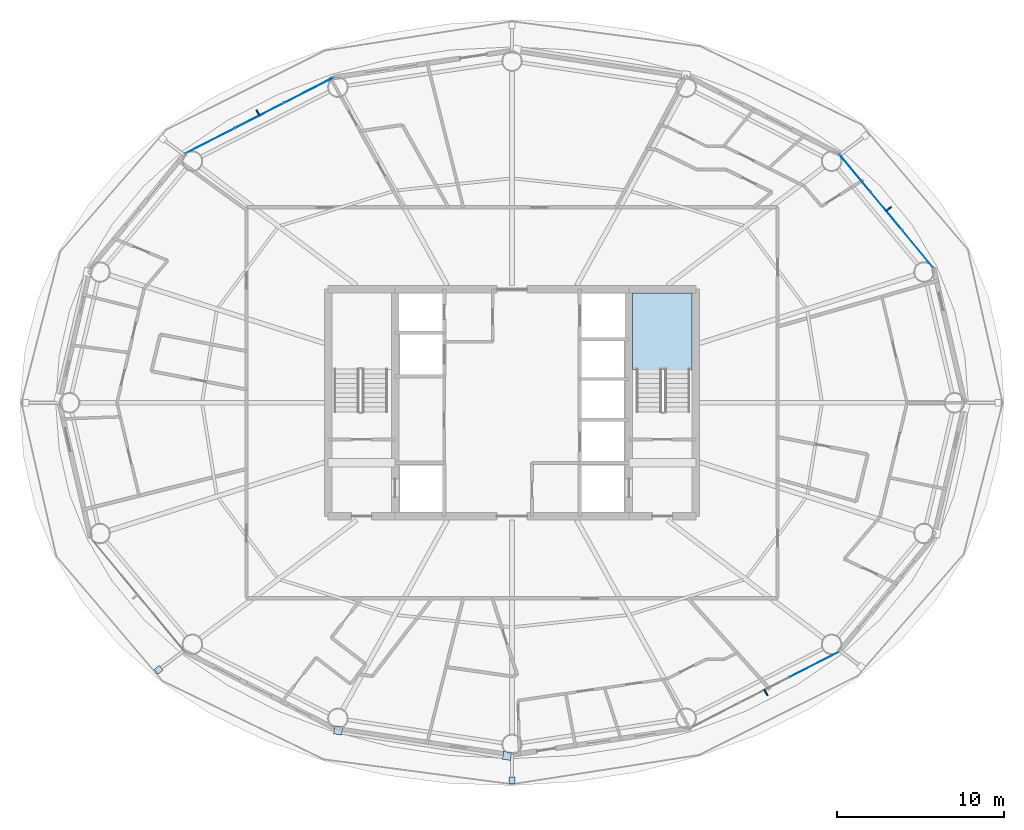
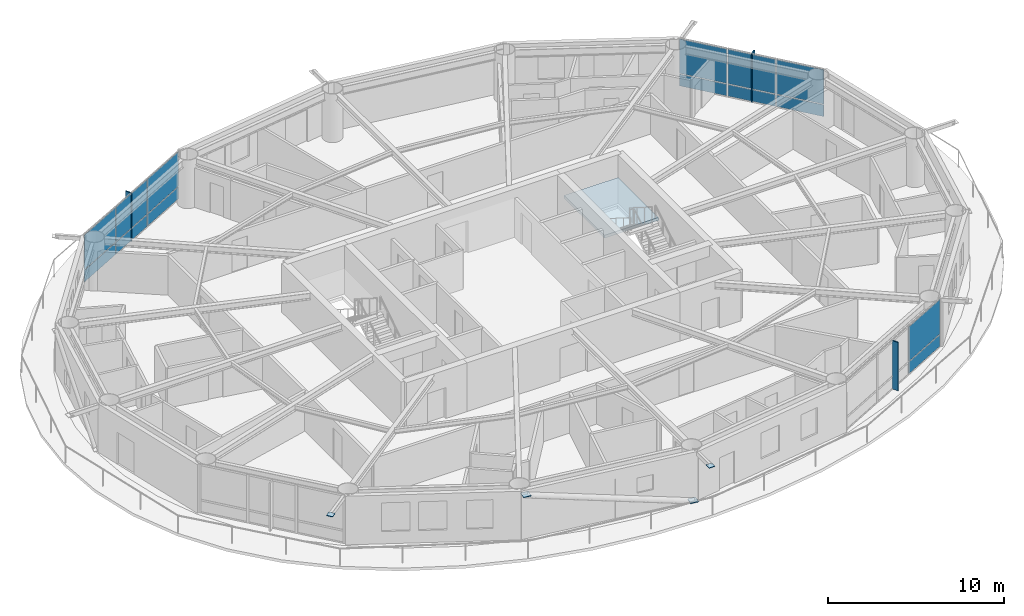
# One storey, part 18 of 27: 21 plates, 1 slab, 4 elements without a shape of their own.
"""IFC4 building model written with IfcOpenShell, lengths in metres."""

from ifc_helpers import new_model, si_unit, direction, frame, origin, origin_2d, place, context, subcontext, project, spatial, polyline, rectangle, outline, extrude, material, layer, layer_set, type_object, element, aggregate, save


model = new_model("IFC4")

# Units and contexts
model_context = context("Model", 3, precision=1e-05, world=origin(), true_north=direction((0.0, 1.0)))
body_context = subcontext(model_context, "Body", "Model", "MODEL_VIEW")
ifc_project = project(units=[si_unit("LENGTHUNIT", "METRE"), si_unit("AREAUNIT", "SQUARE_METRE"), si_unit("VOLUMEUNIT", "CUBIC_METRE"), si_unit("PLANEANGLEUNIT", "RADIAN"), si_unit("MASSUNIT", "GRAM", prefix="KILO")], contexts=[model_context])

# Site, building, storey
site_placement = place(None, origin())
site = spatial("IfcSite", under=ifc_project, at=site_placement, CompositionType="ELEMENT")
building_placement = place(site_placement, origin())
building = spatial("IfcBuilding", under=site, at=building_placement, Name="Sarneth Arch Tower", CompositionType="ELEMENT")
storey_placement = place(building_placement, frame((0.0, 0.0, 186.60009765625)))
storey = spatial("IfcBuildingStorey", under=building, at=storey_placement, Name="L47", CompositionType="ELEMENT", Elevation=186.60009765625)

# Curtain wall, plates
ifc_material_1 = material(Name="Anodised aluminium Type AA25 and solar-control low-e laminated IGU", Category="aluminium")
ifc_layer_1 = layer(ifc_material_1, 0.169921875)
ifc_layer_set_1 = layer_set([ifc_layer_1], Name="Anodised aluminium Type AA25 and solar-control low-e laminated IGU")
curtain_wall_type = type_object("IfcCurtainWallType", Name="CW-RES-MID", PredefinedType="NOTDEFINED", material=ifc_layer_set_1)
curtain_wall_1_placement = place(storey_placement, origin())
curtain_wall_1 = element("IfcCurtainWall", 1, at=curtain_wall_1_placement, inside=storey, type_object=curtain_wall_type, Name="L47 Unitised curtain wall facet 02", PredefinedType="NOTDEFINED")
ifc_material_2 = material(Name="Solar-control low-e laminated IGU", Category="glass")
ifc_layer_2 = layer(ifc_material_2, 0.028076171875)
ifc_layer_set_2 = layer_set([ifc_layer_2], Name="Solar-control low-e laminated IGU")
plate_type_1 = type_object("IfcPlateType", Name="CW-PANEL", PredefinedType="CURTAIN_PANEL", material=ifc_layer_set_2)
plate_1_placement = place(storey_placement, frame((72.280029296875, 51.21826171875, 0.059814453125), z_axis=(0.0, 0.0, 1.0), x_axis=(-0.637330298558, 0.770590741276, 0.0)))
plate_1 = element("IfcPlate", 2, at=plate_1_placement, type_object=plate_type_1, Name="Curtain wall glazed vision pane CW-L47-F02/P00-00", PredefinedType="CURTAIN_PANEL", context=body_context, shape_type="SweptSolid", body=[
    extrude(rectangle(XDim=2.8681640625, YDim=0.028076171875, at=origin_2d()), origin(), (0.0, 0.0, 1.0), 0.81005859375),
])
plate_2_placement = place(storey_placement, frame((72.280029296875, 51.21826171875, 0.93017578125), z_axis=(0.0, 0.0, 1.0), x_axis=(-0.637330298558, 0.770590741276, 0.0)))
plate_2 = element("IfcPlate", 3, at=plate_2_placement, type_object=plate_type_1, Name="Curtain wall glazed vision pane CW-L47-F02/P00-01", PredefinedType="CURTAIN_PANEL", context=body_context, shape_type="SweptSolid", body=[
    extrude(rectangle(XDim=2.8681640625, YDim=0.028076171875, at=origin_2d()), origin(), (0.0, 0.0, 1.0), 2.389892578125),
])
plate_3_placement = place(storey_placement, frame((70.404296875, 53.486328125, 0.059814453125), z_axis=(0.0, 0.0, 1.0), x_axis=(-0.637330298558, 0.770590741276, 0.0)))
plate_3 = element("IfcPlate", 4, at=plate_3_placement, type_object=plate_type_1, Name="Curtain wall glazed vision pane CW-L47-F02/P01-00", PredefinedType="CURTAIN_PANEL", context=body_context, shape_type="SweptSolid", body=[
    extrude(rectangle(XDim=2.898193359375, YDim=0.028076171875, at=origin_2d()), origin(), (0.0, 0.0, 1.0), 0.81005859375),
])
plate_4_placement = place(storey_placement, frame((70.404296875, 53.486328125, 0.93017578125), z_axis=(0.0, 0.0, 1.0), x_axis=(-0.637330298558, 0.770590741276, 0.0)))
plate_4 = element("IfcPlate", 5, at=plate_4_placement, type_object=plate_type_1, Name="Curtain wall glazed vision pane CW-L47-F02/P01-01", PredefinedType="CURTAIN_PANEL", context=body_context, shape_type="SweptSolid", body=[
    extrude(rectangle(XDim=2.898193359375, YDim=0.028076171875, at=origin_2d()), origin(), (0.0, 0.0, 1.0), 2.389892578125),
])
plate_5_placement = place(storey_placement, frame((68.5283203125, 55.75439453125, 0.059814453125), z_axis=(0.0, 0.0, 1.0), x_axis=(-0.637330298558, 0.770590741276, 0.0)))
plate_5 = element("IfcPlate", 6, at=plate_5_placement, type_object=plate_type_1, Name="Curtain wall glazed vision pane CW-L47-F02/P02-00", PredefinedType="CURTAIN_PANEL", context=body_context, shape_type="SweptSolid", body=[
    extrude(rectangle(XDim=2.8681640625, YDim=0.028076171875, at=origin_2d()), origin(), (0.0, 0.0, 1.0), 0.81005859375),
])
plate_6_placement = place(storey_placement, frame((68.5283203125, 55.75439453125, 0.93017578125), z_axis=(0.0, 0.0, 1.0), x_axis=(-0.637330298558, 0.770590741276, 0.0)))
plate_6 = element("IfcPlate", 7, at=plate_6_placement, type_object=plate_type_1, Name="Curtain wall glazed vision pane CW-L47-F02/P02-01", PredefinedType="CURTAIN_PANEL", context=body_context, shape_type="SweptSolid", body=[
    extrude(rectangle(XDim=2.8681640625, YDim=0.028076171875, at=origin_2d()), origin(), (0.0, 0.0, 1.0), 2.389892578125),
])
aggregate(curtain_wall_1, [plate_1, plate_2, plate_3, plate_4, plate_5, plate_6])

curtain_wall_2_placement = place(storey_placement, origin())
curtain_wall_2 = element("IfcCurtainWall", 8, at=curtain_wall_2_placement, inside=storey, type_object=curtain_wall_type, Name="L47 Unitised curtain wall facet 06", PredefinedType="NOTDEFINED")
plate_7_placement = place(storey_placement, frame((35.83837890625, 60.70703125, 0.059814453125), z_axis=(0.0, 0.0, 1.0), x_axis=(-0.88987293003, -0.456208470329, 0.0)))
plate_7 = element("IfcPlate", 9, at=plate_7_placement, type_object=plate_type_1, Name="Curtain wall glazed vision pane CW-L47-F06/P00-00", PredefinedType="CURTAIN_PANEL", context=body_context, shape_type="SweptSolid", body=[
    extrude(rectangle(XDim=3.248779296875, YDim=0.028076171875, at=origin_2d()), origin(), (0.0, 0.0, 1.0), 0.81005859375),
])
plate_8_placement = place(storey_placement, frame((35.83837890625, 60.70703125, 0.93017578125), z_axis=(0.0, 0.0, 1.0), x_axis=(-0.88987293003, -0.456208470329, 0.0)))
plate_8 = element("IfcPlate", 10, at=plate_8_placement, type_object=plate_type_1, Name="Curtain wall glazed vision pane CW-L47-F06/P00-01", PredefinedType="CURTAIN_PANEL", context=body_context, shape_type="SweptSolid", body=[
    extrude(rectangle(XDim=3.248779296875, YDim=0.028076171875, at=origin_2d()), origin(), (0.0, 0.0, 1.0), 2.389892578125),
])
plate_9_placement = place(storey_placement, frame((32.880615234375, 59.190673828125, 0.059814453125), z_axis=(0.0, 0.0, 1.0), x_axis=(-0.88987293003, -0.456208470329, 0.0)))
plate_9 = element("IfcPlate", 11, at=plate_9_placement, type_object=plate_type_1, Name="Curtain wall glazed vision pane CW-L47-F06/P01-00", PredefinedType="CURTAIN_PANEL", context=body_context, shape_type="SweptSolid", body=[
    extrude(rectangle(XDim=3.27880859375, YDim=0.028076171875, at=origin_2d()), origin(), (0.0, 0.0, 1.0), 0.81005859375),
])
plate_10_placement = place(storey_placement, frame((32.880615234375, 59.190673828125, 0.93017578125), z_axis=(0.0, 0.0, 1.0), x_axis=(-0.88987293003, -0.456208470329, 0.0)))
plate_10 = element("IfcPlate", 12, at=plate_10_placement, type_object=plate_type_1, Name="Curtain wall glazed vision pane CW-L47-F06/P01-01", PredefinedType="CURTAIN_PANEL", context=body_context, shape_type="SweptSolid", body=[
    extrude(rectangle(XDim=3.27880859375, YDim=0.028076171875, at=origin_2d()), origin(), (0.0, 0.0, 1.0), 2.389892578125),
])
plate_11_placement = place(storey_placement, frame((29.9228515625, 57.67431640625, 0.059814453125), z_axis=(0.0, 0.0, 1.0), x_axis=(-0.88987293003, -0.456208470329, 0.0)))
plate_11 = element("IfcPlate", 13, at=plate_11_placement, type_object=plate_type_1, Name="Curtain wall glazed vision pane CW-L47-F06/P02-00", PredefinedType="CURTAIN_PANEL", context=body_context, shape_type="SweptSolid", body=[
    extrude(rectangle(XDim=3.248779296875, YDim=0.028076171875, at=origin_2d()), origin(), (0.0, 0.0, 1.0), 0.81005859375),
])
plate_12_placement = place(storey_placement, frame((29.9228515625, 57.67431640625, 0.93017578125), z_axis=(0.0, 0.0, 1.0), x_axis=(-0.88987293003, -0.456208470329, 0.0)))
plate_12 = element("IfcPlate", 14, at=plate_12_placement, type_object=plate_type_1, Name="Curtain wall glazed vision pane CW-L47-F06/P02-01", PredefinedType="CURTAIN_PANEL", context=body_context, shape_type="SweptSolid", body=[
    extrude(rectangle(XDim=3.248779296875, YDim=0.028076171875, at=origin_2d()), origin(), (0.0, 0.0, 1.0), 2.389892578125),
])
aggregate(curtain_wall_2, [plate_7, plate_8, plate_9, plate_10, plate_11, plate_12])

curtain_wall_3_placement = place(storey_placement, origin())
curtain_wall_3 = element("IfcCurtainWall", 15, at=curtain_wall_3_placement, inside=storey, type_object=curtain_wall_type, Name="L47 Unitised curtain wall facet 14", PredefinedType="NOTDEFINED")
plate_13_placement = place(storey_placement, frame((66.0771484375, 26.32568359375, 0.059814453125), z_axis=(0.0, 0.0, 1.0), x_axis=(0.88987293003, 0.456208470329, 0.0)))
plate_13 = element("IfcPlate", 16, at=plate_13_placement, type_object=plate_type_1, Name="Curtain wall glazed vision pane CW-L47-F14/P02-00", PredefinedType="CURTAIN_PANEL", context=body_context, shape_type="SweptSolid", body=[
    extrude(rectangle(XDim=3.248779296875, YDim=0.028076171875, at=origin_2d()), origin(), (0.0, 0.0, 1.0), 0.81005859375),
])
plate_14_placement = place(storey_placement, frame((66.0771484375, 26.32568359375, 0.93017578125), z_axis=(0.0, 0.0, 1.0), x_axis=(0.88987293003, 0.456208470329, 0.0)))
plate_14 = element("IfcPlate", 17, at=plate_14_placement, type_object=plate_type_1, Name="Curtain wall glazed vision pane CW-L47-F14/P02-01", PredefinedType="CURTAIN_PANEL", context=body_context, shape_type="SweptSolid", body=[
    extrude(rectangle(XDim=3.248779296875, YDim=0.028076171875, at=origin_2d()), origin(), (0.0, 0.0, 1.0), 2.389892578125),
])
aggregate(curtain_wall_3, [plate_13, plate_14])

# Plates
ifc_material_3 = material(Name="Steel S355", Category="steel")
ifc_layer_3 = layer(ifc_material_3, 0.035888671875)
ifc_layer_set_3 = layer_set([ifc_layer_3], Name="Steel S355")
plate_type_2 = type_object("IfcPlateType", Name="PLT-GUSSET-30", PredefinedType="SHEET", material=ifc_layer_set_3)
plate_15_placement = place(storey_placement, frame((26.848876953125, 26.014892578125, 3.2021484375), z_axis=(0.0, 0.0, 1.0), x_axis=(-0.797794439539, -0.602929541689, 0.0)))
element("IfcPlate", 18, at=plate_15_placement, inside=storey, type_object=plate_type_2, Name="Steel end cap plate GP-1", PredefinedType="SHEET", context=body_context, shape_type="SweptSolid", body=[
    extrude(rectangle(XDim=0.3798828125, YDim=0.3798828125, at=origin_2d()), origin(), (0.0, 0.0, 1.0), 0.035888671875),
])
for number, where, z_axis, x_axis, name in (
    (19, (47.703369140625, 20.86474609375, 0.001953125), (0.0, 0.0, 1.0), (0.98883454203, -0.149017611339, 0.0), "Steel end cap plate GP-1"),
    (20, (37.595703125, 22.387451171875, 3.03271484375), (0.0, 0.0, 1.0), (0.98883454203, -0.149017611339, 0.0), "Steel end cap plate GP-1"),
):
    element("IfcPlate", number, at=place(storey_placement, frame(where, z_axis=z_axis, x_axis=x_axis)), inside=storey, type_object=plate_type_2, Name=name, PredefinedType="SHEET", context=body_context, shape_type="SweptSolid", body=[
        extrude(rectangle(XDim=0.486083984375, YDim=0.486083984375, at=origin_2d()), origin(), (0.0, 0.0, 1.0), 0.035888671875),
    ])
plate_16_placement = place(storey_placement, frame((48.0, 19.403076171875, 3.2021484375), z_axis=(0.0, 0.0, 1.0), x_axis=(0.0, -1.0, 0.0)))
element("IfcPlate", 21, at=plate_16_placement, inside=storey, type_object=plate_type_2, Name="Steel end cap plate GP-1", PredefinedType="SHEET", context=body_context, shape_type="SweptSolid", body=[
    extrude(rectangle(XDim=0.3798828125, YDim=0.3798828125, at=origin_2d()), origin(), (0.0, 0.0, 1.0), 0.035888671875),
])
ifc_material_4 = material(Name="Extruded glazed terracotta baguette fin on Aluminium 6063-T6 carrier", Category="masonry")
ifc_layer_4 = layer(ifc_material_4, 0.080078125)
ifc_layer_set_4 = layer_set([ifc_layer_4], Name="Extruded glazed terracotta baguette fin on Aluminium 6063-T6 carrier")
plate_type_3 = type_object("IfcPlateType", Name="SHADE-TERRA-FIN", PredefinedType="SHEET", material=ifc_layer_set_4)
for number, where, z_axis, x_axis, name in (
    (22, (70.53515625, 53.5947265625, 0.009765625), (0.0, 0.0, 1.0), (0.770624482513, 0.637289500111, 0.0), "L47 Terracotta vertical shading fin 02"),
    (23, (32.802978515625, 59.341796875, 0.009765625), (0.0, 0.0, 1.0), (-0.456166281949, 0.889894557357, 0.0), "L47 Terracotta vertical shading fin 06"),
    (24, (63.197021484375, 24.658203125, 0.009765625), (0.0, 0.0, 1.0), (0.456166281949, -0.889894557357, 0.0), "L47 Terracotta vertical shading fin 14"),
):
    element("IfcPlate", number, at=place(storey_placement, frame(where, z_axis=z_axis, x_axis=x_axis)), inside=storey, type_object=plate_type_3, Name=name, PredefinedType="SHEET", context=body_context, shape_type="SweptSolid", body=[
        extrude(rectangle(XDim=0.419921875, YDim=0.080078125, at=origin_2d()), origin(), (0.0, 0.0, 1.0), 3.360107421875),
    ])

# Stair, slab
ifc_material_5 = material(Name="Concrete C50/60", Category="concrete")
stair_type = type_object("IfcStairType", Name="STAIR-CORE-RC", PredefinedType="HALF_TURN_STAIR", material=ifc_material_5)
stair_placement = place(storey_placement, origin())
stair = element("IfcStair", 25, at=stair_placement, inside=storey, type_object=stair_type, Name="L47 Core Exit Stair 2", PredefinedType="HALF_TURN_STAIR")
ifc_material_6 = material(Name="Concrete C50/60", Category="concrete")
ifc_layer_5 = layer(ifc_material_6, 0.199951171875)
ifc_layer_set_5 = layer_set([ifc_layer_5], Name="Concrete C50/60")
slab_type = type_object("IfcSlabType", Name="SLAB-LANDING-200", PredefinedType="LANDING", material=ifc_layer_set_5)
slab_placement = place(storey_placement, frame((0.0, 0.0, 1.599853515625)))
slab = element("IfcSlab", 26, at=slab_placement, type_object=slab_type, Name="ST-2 landing 1", PredefinedType="LANDING", context=body_context, shape_type="SweptSolid", body=[
    extrude(outline(polyline([(55.22509765625, 43.985107421875), (58.77490234375, 43.985107421875), (58.77490234375, 48.574951171875), (55.22509765625, 48.574951171875), (55.22509765625, 43.985107421875)])), origin(), (0.0, 0.0, 1.0), 0.199951171875),
])
aggregate(stair, [slab])

save(model, "model.ifc")
